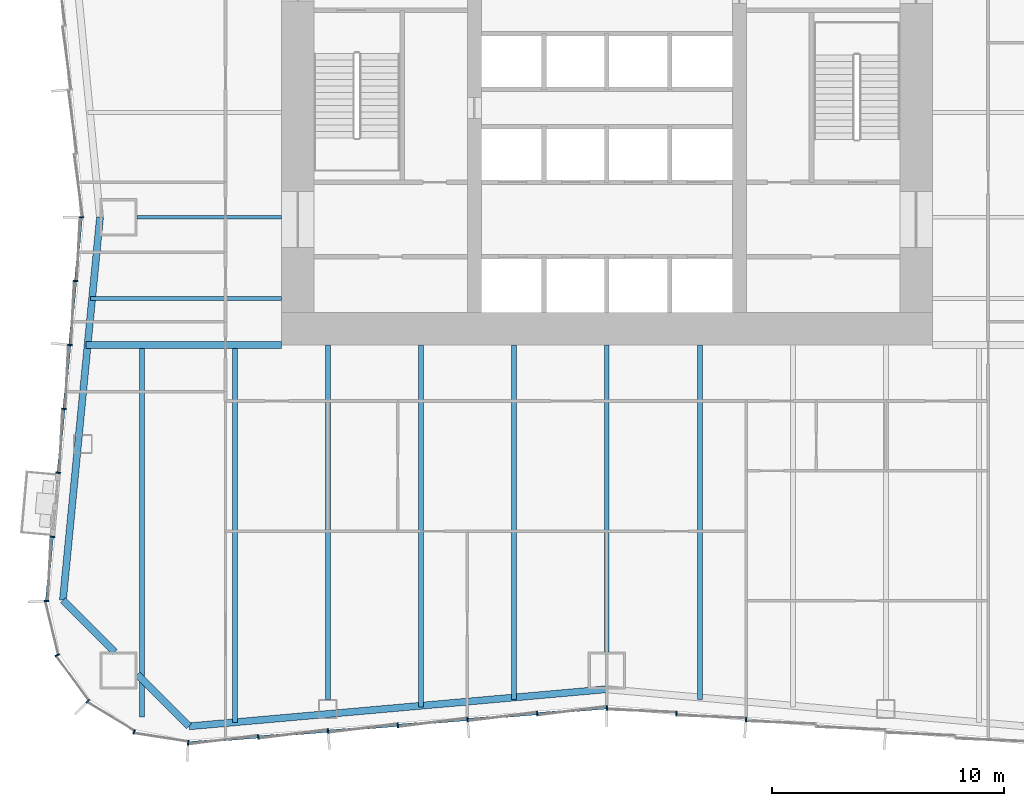
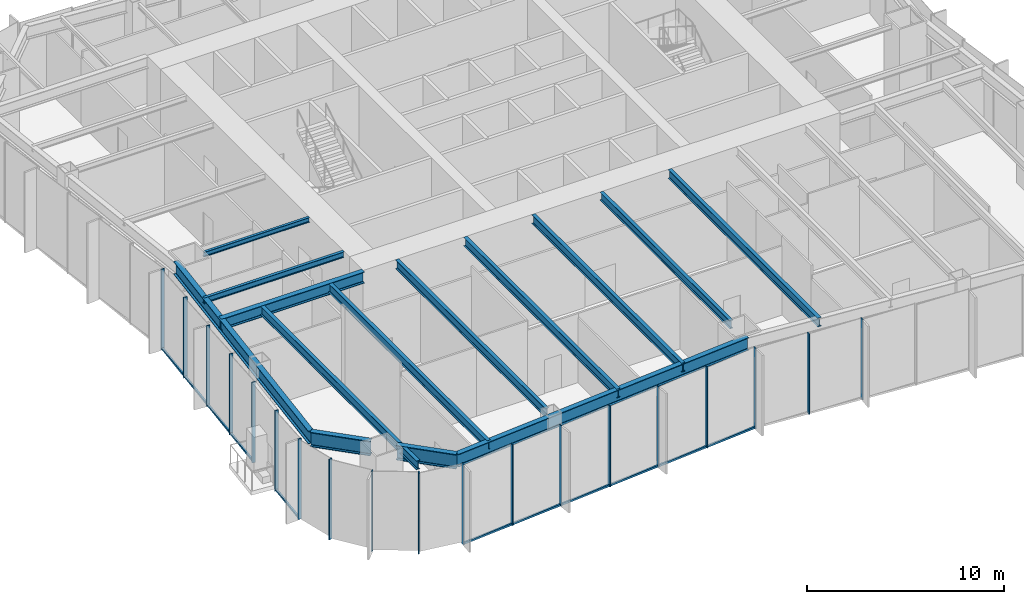
# One storey, part 2 of 14: 22 members, 14 beams, 3 elements without a shape of their own.
"""IFC4 building model written with IfcOpenShell, lengths in metres."""

from ifc_helpers import new_model, si_unit, direction, frame, origin, origin_2d, place, context, subcontext, project, spatial, rectangle, i_section, extrude, material, material_profile, profile_set, type_object, element, aggregate, save


model = new_model("IFC4")

# Units and contexts
model_context = context("Model", 3, precision=1e-05, world=origin(), true_north=direction((0.0, 1.0)))
body_context = subcontext(model_context, "Body", "Model", "MODEL_VIEW")
ifc_project = project(units=[si_unit("LENGTHUNIT", "METRE"), si_unit("AREAUNIT", "SQUARE_METRE"), si_unit("VOLUMEUNIT", "CUBIC_METRE"), si_unit("PLANEANGLEUNIT", "RADIAN"), si_unit("MASSUNIT", "GRAM", prefix="KILO")], contexts=[model_context])

# Site, building, storey
site_placement = place(None, origin())
site = spatial("IfcSite", under=ifc_project, at=site_placement, CompositionType="ELEMENT")
building_placement = place(site_placement, origin())
building = spatial("IfcBuilding", under=site, at=building_placement, Name="Verdant Reach Tower", CompositionType="ELEMENT")
storey_placement = place(building_placement, frame((0.0, 0.0, 9.0)))
storey = spatial("IfcBuildingStorey", under=building, at=storey_placement, Name="L01", CompositionType="ELEMENT", Elevation=9.0)

# Curtain wall, members
ifc_material_1 = material(Name="Anodised aluminium", Category="aluminium")
curtain_wall_type = type_object("IfcCurtainWallType", Name="EN-CW SYSTEM Z0", PredefinedType="NOTDEFINED", material=ifc_material_1)
curtain_wall_1_placement = place(storey_placement, origin())
curtain_wall_1 = element("IfcCurtainWall", 1, at=curtain_wall_1_placement, inside=storey, type_object=curtain_wall_type, Name="Curtain wall west, L01", PredefinedType="NOTDEFINED")
ifc_material_profile_1 = material_profile(ifc_material_1, rectangle(XDim=0.199951171875, YDim=0.06005859375, at=origin_2d()), Name="Mullion 60x200")
ifc_profile_set_1 = profile_set([ifc_material_profile_1], Name="Anodised aluminium")
member_type_1 = type_object("IfcMemberType", Name="EN-MULLION Z0", PredefinedType="MULLION", material=ifc_profile_set_1)
member_1_placement = place(storey_placement, frame((-22.60009765625, 22.5, -0.35009765625), z_axis=(0.0, 0.0, 1.0), x_axis=(-1.0, 0.0, 0.0)))
member_1 = element("IfcMember", 2, at=member_1_placement, type_object=member_type_1, Name="Mullion west face part 2 1, L01", PredefinedType="MULLION", context=body_context, shape_type="SweptSolid", body=[
    extrude(rectangle(XDim=0.199951171875, YDim=0.06005859375, at=origin_2d()), origin(), (0.0, 0.0, 1.0), 5.0),
])
member_2_placement = place(storey_placement, frame((-22.849609375, 19.759033203125, -0.35009765625), z_axis=(0.0, 0.0, 1.0), x_axis=(-0.995893206467, 0.090535746047, 0.0)))
member_2 = element("IfcMember", 3, at=member_2_placement, type_object=member_type_1, Name="Mullion west face part 2 2, L01", PredefinedType="MULLION", context=body_context, shape_type="SweptSolid", body=[
    extrude(rectangle(XDim=0.199951171875, YDim=0.06005859375, at=origin_2d()), origin(), (0.0, 0.0, 1.0), 5.0),
])
member_3_placement = place(storey_placement, frame((-23.099609375, 17.009033203125, -0.35009765625), z_axis=(0.0, 0.0, 1.0), x_axis=(-0.995893206467, 0.090535746047, 0.0)))
member_3 = element("IfcMember", 4, at=member_3_placement, type_object=member_type_1, Name="Mullion west face part 2 3, L01", PredefinedType="MULLION", context=body_context, shape_type="SweptSolid", body=[
    extrude(rectangle(XDim=0.199951171875, YDim=0.06005859375, at=origin_2d()), origin(), (0.0, 0.0, 1.0), 5.0),
])
member_4_placement = place(storey_placement, frame((-23.349609375, 14.259033203125, -0.35009765625), z_axis=(0.0, 0.0, 1.0), x_axis=(-0.995893206467, 0.090535746047, 0.0)))
member_4 = element("IfcMember", 5, at=member_4_placement, type_object=member_type_1, Name="Mullion west face part 2 4, L01", PredefinedType="MULLION", context=body_context, shape_type="SweptSolid", body=[
    extrude(rectangle(XDim=0.199951171875, YDim=0.06005859375, at=origin_2d()), origin(), (0.0, 0.0, 1.0), 5.0),
])
member_5_placement = place(storey_placement, frame((-23.599609375, 11.509033203125, -0.35009765625), z_axis=(0.0, 0.0, 1.0), x_axis=(-0.995893206467, 0.090535746047, 0.0)))
member_5 = element("IfcMember", 6, at=member_5_placement, type_object=member_type_1, Name="Mullion west face part 2 5, L01", PredefinedType="MULLION", context=body_context, shape_type="SweptSolid", body=[
    extrude(rectangle(XDim=0.199951171875, YDim=0.06005859375, at=origin_2d()), origin(), (0.0, 0.0, 1.0), 5.0),
])
member_6_placement = place(storey_placement, frame((-23.849609375, 8.759033203125, -0.35009765625), z_axis=(0.0, 0.0, 1.0), x_axis=(-0.995893206467, 0.090535746047, 0.0)))
member_6 = element("IfcMember", 7, at=member_6_placement, type_object=member_type_1, Name="Mullion west face part 2 6, L01", PredefinedType="MULLION", context=body_context, shape_type="SweptSolid", body=[
    extrude(rectangle(XDim=0.199951171875, YDim=0.06005859375, at=origin_2d()), origin(), (0.0, 0.0, 1.0), 5.0),
])

curtain_wall_2_placement = place(storey_placement, origin())
curtain_wall_2 = element("IfcCurtainWall", 8, at=curtain_wall_2_placement, inside=storey, type_object=curtain_wall_type, Name="Curtain wall south-west corner, L01", PredefinedType="NOTDEFINED")
member_7_placement = place(storey_placement, frame((-24.099853515625, 5.99462890625, -0.35009765625), z_axis=(0.0, 0.0, 1.0), x_axis=(-0.998604288049, -0.052815489107, 0.0)))
member_7 = element("IfcMember", 9, at=member_7_placement, type_object=member_type_1, Name="Mullion south-west corner 1, L01", PredefinedType="MULLION", context=body_context, shape_type="SweptSolid", body=[
    extrude(rectangle(XDim=0.199951171875, YDim=0.06005859375, at=origin_2d()), origin(), (0.0, 0.0, 1.0), 5.0),
])
member_8_placement = place(storey_placement, frame((-23.6357421875, 3.66552734375, -0.35009765625), z_axis=(0.0, 0.0, 1.0), x_axis=(-0.923875215753, -0.382693853776, 0.0)))
member_8 = element("IfcMember", 10, at=member_8_placement, type_object=member_type_1, Name="Mullion south-west corner 2, L01", PredefinedType="MULLION", context=body_context, shape_type="SweptSolid", body=[
    extrude(rectangle(XDim=0.199951171875, YDim=0.06005859375, at=origin_2d()), origin(), (0.0, 0.0, 1.0), 5.0),
])
member_9_placement = place(storey_placement, frame((-22.313232421875, 1.686767578125, -0.35009765625), z_axis=(0.0, 0.0, 1.0), x_axis=(-0.707106781187, -0.707106781187, 0.0)))
member_9 = element("IfcMember", 11, at=member_9_placement, type_object=member_type_1, Name="Mullion south-west corner 3, L01", PredefinedType="MULLION", context=body_context, shape_type="SweptSolid", body=[
    extrude(rectangle(XDim=0.199951171875, YDim=0.06005859375, at=origin_2d()), origin(), (0.0, 0.0, 1.0), 5.0),
])
member_10_placement = place(storey_placement, frame((-20.33447265625, 0.3642578125, -0.35009765625), z_axis=(0.0, 0.0, 1.0), x_axis=(-0.382693853776, -0.923875215753, 0.0)))
member_10 = element("IfcMember", 12, at=member_10_placement, type_object=member_type_1, Name="Mullion south-west corner 4, L01", PredefinedType="MULLION", context=body_context, shape_type="SweptSolid", body=[
    extrude(rectangle(XDim=0.199951171875, YDim=0.06005859375, at=origin_2d()), origin(), (0.0, 0.0, 1.0), 5.0),
])
aggregate(curtain_wall_2, [member_7, member_8, member_9, member_10])

curtain_wall_3_placement = place(storey_placement, origin())
curtain_wall_3 = element("IfcCurtainWall", 13, at=curtain_wall_3_placement, inside=storey, type_object=curtain_wall_type, Name="Curtain wall south, L01", PredefinedType="NOTDEFINED")
member_11_placement = place(storey_placement, frame((-18.005615234375, -0.099853515625, -0.35009765625), z_axis=(0.0, 0.0, 1.0), x_axis=(-0.056569187765, -0.998398681387, 0.0)))
member_11 = element("IfcMember", 14, at=member_11_placement, type_object=member_type_1, Name="Mullion south face part 1 1, L01", PredefinedType="MULLION", context=body_context, shape_type="SweptSolid", body=[
    extrude(rectangle(XDim=0.199951171875, YDim=0.06005859375, at=origin_2d()), origin(), (0.0, 0.0, 1.0), 5.0),
])
member_12_placement = place(storey_placement, frame((-14.99169921875, 0.150390625, -0.35009765625), z_axis=(0.0, 0.0, 1.0), x_axis=(0.083045479859, -0.996545758244, 0.0)))
member_12 = element("IfcMember", 15, at=member_12_placement, type_object=member_type_1, Name="Mullion south face part 1 2, L01", PredefinedType="MULLION", context=body_context, shape_type="SweptSolid", body=[
    extrude(rectangle(XDim=0.199951171875, YDim=0.06005859375, at=origin_2d()), origin(), (0.0, 0.0, 1.0), 5.0),
])
member_13_placement = place(storey_placement, frame((-11.99169921875, 0.400390625, -0.35009765625), z_axis=(0.0, 0.0, 1.0), x_axis=(0.083045479859, -0.996545758244, 0.0)))
member_13 = element("IfcMember", 16, at=member_13_placement, type_object=member_type_1, Name="Mullion south face part 1 3, L01", PredefinedType="MULLION", context=body_context, shape_type="SweptSolid", body=[
    extrude(rectangle(XDim=0.199951171875, YDim=0.06005859375, at=origin_2d()), origin(), (0.0, 0.0, 1.0), 5.0),
])
member_14_placement = place(storey_placement, frame((-8.99169921875, 0.650390625, -0.35009765625), z_axis=(0.0, 0.0, 1.0), x_axis=(0.083045479859, -0.996545758244, 0.0)))
member_14 = element("IfcMember", 17, at=member_14_placement, type_object=member_type_1, Name="Mullion south face part 1 4, L01", PredefinedType="MULLION", context=body_context, shape_type="SweptSolid", body=[
    extrude(rectangle(XDim=0.199951171875, YDim=0.06005859375, at=origin_2d()), origin(), (0.0, 0.0, 1.0), 5.0),
])
member_15_placement = place(storey_placement, frame((-5.99169921875, 0.900390625, -0.35009765625), z_axis=(0.0, 0.0, 1.0), x_axis=(0.083045479859, -0.996545758244, 0.0)))
member_15 = element("IfcMember", 18, at=member_15_placement, type_object=member_type_1, Name="Mullion south face part 1 5, L01", PredefinedType="MULLION", context=body_context, shape_type="SweptSolid", body=[
    extrude(rectangle(XDim=0.199951171875, YDim=0.06005859375, at=origin_2d()), origin(), (0.0, 0.0, 1.0), 5.0),
])
member_16_placement = place(storey_placement, frame((-2.99169921875, 1.150390625, -0.35009765625), z_axis=(0.0, 0.0, 1.0), x_axis=(0.083045479859, -0.996545758244, 0.0)))
member_16 = element("IfcMember", 19, at=member_16_placement, type_object=member_type_1, Name="Mullion south face part 1 6, L01", PredefinedType="MULLION", context=body_context, shape_type="SweptSolid", body=[
    extrude(rectangle(XDim=0.199951171875, YDim=0.06005859375, at=origin_2d()), origin(), (0.0, 0.0, 1.0), 5.0),
])
member_17_placement = place(storey_placement, frame((0.0, 1.39990234375, -0.35009765625), z_axis=(0.0, 0.0, 1.0), x_axis=(0.0, -1.0, 0.0)))
member_17 = element("IfcMember", 20, at=member_17_placement, type_object=member_type_1, Name="Mullion south face part 2 1, L01", PredefinedType="MULLION", context=body_context, shape_type="SweptSolid", body=[
    extrude(rectangle(XDim=0.199951171875, YDim=0.06005859375, at=origin_2d()), origin(), (0.0, 0.0, 1.0), 5.0),
])
member_18_placement = place(storey_placement, frame((2.99169921875, 1.150390625, -0.35009765625), z_axis=(0.0, 0.0, 1.0), x_axis=(-0.083045479859, -0.996545758244, 0.0)))
member_18 = element("IfcMember", 21, at=member_18_placement, type_object=member_type_1, Name="Mullion south face part 2 2, L01", PredefinedType="MULLION", context=body_context, shape_type="SweptSolid", body=[
    extrude(rectangle(XDim=0.199951171875, YDim=0.06005859375, at=origin_2d()), origin(), (0.0, 0.0, 1.0), 5.0),
])
member_19_placement = place(storey_placement, frame((5.99169921875, 0.900390625, -0.35009765625), z_axis=(0.0, 0.0, 1.0), x_axis=(-0.083045479859, -0.996545758244, 0.0)))
member_19 = element("IfcMember", 22, at=member_19_placement, type_object=member_type_1, Name="Mullion south face part 2 3, L01", PredefinedType="MULLION", context=body_context, shape_type="SweptSolid", body=[
    extrude(rectangle(XDim=0.199951171875, YDim=0.06005859375, at=origin_2d()), origin(), (0.0, 0.0, 1.0), 5.0),
])

# Member
ifc_material_profile_2 = material_profile(ifc_material_1, rectangle(XDim=0.10009765625, YDim=0.1201171875, at=origin_2d()), Name="Transom 120x100")
ifc_profile_set_2 = profile_set([ifc_material_profile_2], Name="Anodised aluminium")
member_type_2 = type_object("IfcMemberType", Name="EN-TRANSOM Z0", PredefinedType="USERDEFINED", material=ifc_profile_set_2)
member_20_placement = place(storey_placement, frame((-22.602783203125, 22.47021484375, -0.2900390625), z_axis=(-0.090569838391, -0.995890106575, 0.0), x_axis=(0.995890106575, -0.090569838391, 0.0)))
member_20 = element("IfcMember", 23, at=member_20_placement, type_object=member_type_2, Name="Transom west face part 2 1.1, L01", ObjectType="TRANSOM", PredefinedType="USERDEFINED", context=body_context, shape_type="SweptSolid", body=[
    extrude(rectangle(XDim=0.10009765625, YDim=0.1201171875, at=origin_2d()), origin(), (0.0, 0.0, 1.0), 10.9765625),
])

member_21_placement = place(storey_placement, frame((-23.852294921875, 8.729248046875, -0.2900390625), z_axis=(-0.090170976609, -0.995926299973, 0.0), x_axis=(0.995926299973, -0.090170976609, 0.0)))
member_21 = element("IfcMember", 24, at=member_21_placement, type_object=member_type_2, Name="Transom west face part 2 2.1, L01", ObjectType="TRANSOM", PredefinedType="USERDEFINED", context=body_context, shape_type="SweptSolid", body=[
    extrude(rectangle(XDim=0.10009765625, YDim=0.1201171875, at=origin_2d()), origin(), (0.0, 0.0, 1.0), 2.715576171875),
])

aggregate(curtain_wall_1, [member_1, member_2, member_3, member_4, member_5, member_6, member_20, member_21])

member_22_placement = place(storey_placement, frame((-17.975830078125, -0.097412109375, -0.2900390625), z_axis=(0.996548656072, 0.083010698588, 0.0), x_axis=(-0.083010698588, 0.996548656072, 0.0)))
member_22 = element("IfcMember", 25, at=member_22_placement, type_object=member_type_2, Name="Transom south face part 1 1.1, L01", ObjectType="TRANSOM", PredefinedType="USERDEFINED", context=body_context, shape_type="SweptSolid", body=[
    extrude(rectangle(XDim=0.10009765625, YDim=0.1201171875, at=origin_2d()), origin(), (0.0, 0.0, 1.0), 18.00830078125),
])

aggregate(curtain_wall_3, [member_11, member_12, member_13, member_14, member_15, member_16, member_22, member_17, member_18, member_19])

# Beams
ifc_material_2 = material(Name="Steel S355", Category="steel")
ifc_material_profile_3 = material_profile(ifc_material_2, i_section(OverallWidth=0.300048828125, OverallDepth=0.699951171875, WebThickness=0.01708984375, FlangeThickness=0.031982421875, FilletRadius=0.027099609375, at=origin_2d()), Name="HEB 700")
ifc_profile_set_3 = profile_set([ifc_material_profile_3], Name="Steel S355")
beam_type_1 = type_object("IfcBeamType", Name="ST-BEAM-HEB700", PredefinedType="BEAM", material=ifc_profile_set_3)
beam_1_placement = place(storey_placement, frame((-14.0, 17.0, 4.52001953125), z_axis=(-1.0, 0.0, 0.0), x_axis=(0.0, -1.0, 0.0)))
element("IfcBeam", 26, at=beam_1_placement, inside=storey, type_object=beam_type_1, Name="Trimmer beam, L01", PredefinedType="BEAM", context=body_context, shape_type="SweptSolid", body=[
    extrude(i_section(OverallWidth=0.300048828125, OverallDepth=0.699951171875, WebThickness=0.01708984375, FlangeThickness=0.031982421875, FilletRadius=0.027099609375, at=origin_2d()), origin(), (0.0, 0.0, 1.0), 8.3974609375),
])
ifc_material_profile_4 = material_profile(ifc_material_2, i_section(OverallWidth=0.14990234375, OverallDepth=0.300048828125, WebThickness=0.007080078125, FlangeThickness=0.0107421875, FilletRadius=0.014892578125, at=origin_2d()), Name="IPE 300")
ifc_profile_set_4 = profile_set([ifc_material_profile_4], Name="Steel S355")
beam_type_2 = type_object("IfcBeamType", Name="ST-JOIST-IPE300", PredefinedType="JOIST", material=ifc_profile_set_4)
beam_2_placement = place(storey_placement, frame((-14.0, 22.5, 4.719970703125), z_axis=(-1.0, 0.0, 0.0), x_axis=(0.0, -1.0, 0.0)))
element("IfcBeam", 27, at=beam_2_placement, inside=storey, type_object=beam_type_2, Name="Floor joist, L01", PredefinedType="JOIST", context=body_context, shape_type="SweptSolid", body=[
    extrude(i_section(OverallWidth=0.14990234375, OverallDepth=0.300048828125, WebThickness=0.007080078125, FlangeThickness=0.0107421875, FilletRadius=0.014892578125, at=origin_2d()), origin(), (0.0, 0.0, 1.0), 6.199951171875),
])
ifc_material_profile_5 = material_profile(ifc_material_2, i_section(OverallWidth=0.169921875, OverallDepth=0.360107421875, WebThickness=0.008056640625, FlangeThickness=0.0126953125, FilletRadius=0.01806640625, at=origin_2d()), Name="IPE 360")
ifc_profile_set_5 = profile_set([ifc_material_profile_5], Name="Steel S355")
beam_type_3 = type_object("IfcBeamType", Name="ST-JOIST-IPE360", PredefinedType="JOIST", material=ifc_profile_set_5)
beam_3_placement = place(storey_placement, frame((-14.0, 19.0, 4.68994140625), z_axis=(-1.0, 0.0, 0.0), x_axis=(0.0, -1.0, 0.0)))
element("IfcBeam", 28, at=beam_3_placement, inside=storey, type_object=beam_type_3, Name="Floor joist, L01", PredefinedType="JOIST", context=body_context, shape_type="SweptSolid", body=[
    extrude(i_section(OverallWidth=0.169921875, OverallDepth=0.360107421875, WebThickness=0.008056640625, FlangeThickness=0.0126953125, FilletRadius=0.01806640625, at=origin_2d()), origin(), (0.0, 0.0, 1.0), 8.2158203125),
])
ifc_material_profile_6 = material_profile(ifc_material_2, i_section(OverallWidth=0.199951171875, OverallDepth=0.5, WebThickness=0.01025390625, FlangeThickness=0.01611328125, FilletRadius=0.02099609375, at=origin_2d()), Name="IPE 500")
ifc_profile_set_6 = profile_set([ifc_material_profile_6], Name="Steel S355")
beam_type_4 = type_object("IfcBeamType", Name="ST-JOIST-IPE500", PredefinedType="JOIST", material=ifc_profile_set_6)
beam_4_placement = place(storey_placement, frame((0.0, 17.0, 4.6201171875), z_axis=(0.0, -1.0, 0.0), x_axis=(1.0, 0.0, 0.0)))
element("IfcBeam", 29, at=beam_4_placement, inside=storey, type_object=beam_type_4, Name="Floor joist, L01", PredefinedType="JOIST", context=body_context, shape_type="SweptSolid", body=[
    extrude(i_section(OverallWidth=0.199951171875, OverallDepth=0.5, WebThickness=0.01025390625, FlangeThickness=0.01611328125, FilletRadius=0.02099609375, at=origin_2d()), origin(), (0.0, 0.0, 1.0), 13.199951171875),
])
ifc_material_profile_7 = material_profile(ifc_material_2, i_section(OverallWidth=0.2099609375, OverallDepth=0.550048828125, WebThickness=0.010986328125, FlangeThickness=0.01708984375, FilletRadius=0.02392578125, at=origin_2d()), Name="IPE 550")
ifc_profile_set_7 = profile_set([ifc_material_profile_7], Name="Steel S355")
beam_type_5 = type_object("IfcBeamType", Name="ST-JOIST-IPE550", PredefinedType="JOIST", material=ifc_profile_set_7)
beam_5_placement = place(storey_placement, frame((-20.0, 16.89990234375, 4.594970703125), z_axis=(0.0, -1.0, 0.0), x_axis=(1.0, 0.0, 0.0)))
element("IfcBeam", 30, at=beam_5_placement, inside=storey, type_object=beam_type_5, Name="Floor joist, L01", PredefinedType="JOIST", context=body_context, shape_type="SweptSolid", body=[
    extrude(i_section(OverallWidth=0.2099609375, OverallDepth=0.550048828125, WebThickness=0.010986328125, FlangeThickness=0.01708984375, FilletRadius=0.02392578125, at=origin_2d()), origin(), (0.0, 0.0, 1.0), 15.890380859375),
])
beam_6_placement = place(storey_placement, frame((-16.0, 16.89990234375, 4.594970703125), z_axis=(0.0, -1.0, 0.0), x_axis=(1.0, 0.0, 0.0)))
element("IfcBeam", 31, at=beam_6_placement, inside=storey, type_object=beam_type_5, Name="Floor joist, L01", PredefinedType="JOIST", context=body_context, shape_type="SweptSolid", body=[
    extrude(i_section(OverallWidth=0.2099609375, OverallDepth=0.550048828125, WebThickness=0.010986328125, FlangeThickness=0.01708984375, FilletRadius=0.02392578125, at=origin_2d()), origin(), (0.0, 0.0, 1.0), 16.131103515625),
])
beam_7_placement = place(storey_placement, frame((-12.0, 17.0, 4.594970703125), z_axis=(0.0, -1.0, 0.0), x_axis=(1.0, 0.0, 0.0)))
element("IfcBeam", 32, at=beam_7_placement, inside=storey, type_object=beam_type_5, Name="Floor joist, L01", PredefinedType="JOIST", context=body_context, shape_type="SweptSolid", body=[
    extrude(i_section(OverallWidth=0.2099609375, OverallDepth=0.550048828125, WebThickness=0.010986328125, FlangeThickness=0.01708984375, FilletRadius=0.02392578125, at=origin_2d()), origin(), (0.0, 0.0, 1.0), 15.25),
])
beam_8_placement = place(storey_placement, frame((-8.0, 17.0, 4.594970703125), z_axis=(0.0, -1.0, 0.0), x_axis=(1.0, 0.0, 0.0)))
element("IfcBeam", 33, at=beam_8_placement, inside=storey, type_object=beam_type_5, Name="Floor joist, L01", PredefinedType="JOIST", context=body_context, shape_type="SweptSolid", body=[
    extrude(i_section(OverallWidth=0.2099609375, OverallDepth=0.550048828125, WebThickness=0.010986328125, FlangeThickness=0.01708984375, FilletRadius=0.02392578125, at=origin_2d()), origin(), (0.0, 0.0, 1.0), 15.564697265625),
])
for number, where, z_axis, x_axis, name in (
    (34, (-4.0, 17.0, 4.594970703125), (0.0, -1.0, 0.0), (1.0, 0.0, 0.0), "Floor joist, L01"),
    (35, (4.0, 17.0, 4.594970703125), (0.0, -1.0, 0.0), (1.0, 0.0, 0.0), "Floor joist, L01"),
):
    element("IfcBeam", number, at=place(storey_placement, frame(where, z_axis=z_axis, x_axis=x_axis)), inside=storey, type_object=beam_type_5, Name=name, PredefinedType="JOIST", context=body_context, shape_type="SweptSolid", body=[
        extrude(i_section(OverallWidth=0.2099609375, OverallDepth=0.550048828125, WebThickness=0.010986328125, FlangeThickness=0.01708984375, FilletRadius=0.02392578125, at=origin_2d()), origin(), (0.0, 0.0, 1.0), 15.231201171875),
    ])
ifc_material_profile_8 = material_profile(ifc_material_2, i_section(OverallWidth=0.300048828125, OverallDepth=0.800048828125, WebThickness=0.017578125, FlangeThickness=0.032958984375, FilletRadius=0.030029296875, at=origin_2d()), Name="HEB 800")
ifc_profile_set_8 = profile_set([ifc_material_profile_8], Name="Steel S355")
beam_type_6 = type_object("IfcBeamType", Name="ST-SPANDREL-HEB800", PredefinedType="SPANDREL", material=ifc_profile_set_8)
beam_9_placement = place(storey_placement, frame((0.0, 2.199951171875, 4.469970703125), z_axis=(-0.996082370463, -0.088430262084, 0.0), x_axis=(0.088430262084, -0.996082370463, 0.0)))
element("IfcBeam", 36, at=beam_9_placement, inside=storey, type_object=beam_type_6, Name="Edge beam, L01", PredefinedType="SPANDREL", context=body_context, shape_type="SweptSolid", body=[
    extrude(i_section(OverallWidth=0.300048828125, OverallDepth=0.800048828125, WebThickness=0.017578125, FlangeThickness=0.032958984375, FilletRadius=0.030029296875, at=origin_2d()), origin(), (0.0, 0.0, 1.0), 18.036376953125),
])
beam_10_placement = place(storey_placement, frame((-23.39453125, 6.031982421875, 4.469970703125), z_axis=(0.096372296695, 0.995345357366, 0.0), x_axis=(-0.995345357366, 0.096372296695, 0.0)))
element("IfcBeam", 37, at=beam_10_placement, inside=storey, type_object=beam_type_6, Name="Edge beam, L01", PredefinedType="SPANDREL", context=body_context, shape_type="SweptSolid", body=[
    extrude(i_section(OverallWidth=0.300048828125, OverallDepth=0.800048828125, WebThickness=0.017578125, FlangeThickness=0.032958984375, FilletRadius=0.030029296875, at=origin_2d()), origin(), (0.0, 0.0, 1.0), 16.544921875),
])
ifc_material_profile_9 = material_profile(ifc_material_2, i_section(OverallWidth=0.302001953125, OverallDepth=0.909912109375, WebThickness=0.02099609375, FlangeThickness=0.0400390625, FilletRadius=0.030029296875, at=origin_2d()), Name="HEM 900")
ifc_profile_set_9 = profile_set([ifc_material_profile_9], Name="Steel S355")
beam_type_7 = type_object("IfcBeamType", Name="ST-SPANDREL-HEM900", PredefinedType="SPANDREL", material=ifc_profile_set_9)
beam_11_placement = place(storey_placement, frame((-17.9658203125, 0.60498046875, 4.4150390625), z_axis=(-0.707222697162, 0.706990846206, 0.0), x_axis=(-0.706990846206, -0.707222697162, 0.0)))
element("IfcBeam", 38, at=beam_11_placement, inside=storey, type_object=beam_type_7, Name="Edge beam, L01", PredefinedType="SPANDREL", context=body_context, shape_type="SweptSolid", body=[
    extrude(i_section(OverallWidth=0.302001953125, OverallDepth=0.909912109375, WebThickness=0.02099609375, FlangeThickness=0.0400390625, FilletRadius=0.030029296875, at=origin_2d()), origin(), (0.0, 0.0, 1.0), 3.158935546875),
])
beam_12_placement = place(storey_placement, frame((-21.161865234375, 3.800048828125, 4.4150390625), z_axis=(-0.70722277322, 0.706990770123, 0.0), x_axis=(-0.706990770123, -0.70722277322, 0.0)))
element("IfcBeam", 39, at=beam_12_placement, inside=storey, type_object=beam_type_7, Name="Edge beam, L01", PredefinedType="SPANDREL", context=body_context, shape_type="SweptSolid", body=[
    extrude(i_section(OverallWidth=0.302001953125, OverallDepth=0.909912109375, WebThickness=0.02099609375, FlangeThickness=0.0400390625, FilletRadius=0.030029296875, at=origin_2d()), origin(), (0.0, 0.0, 1.0), 3.156982421875),
])

save(model, "model.ifc")
